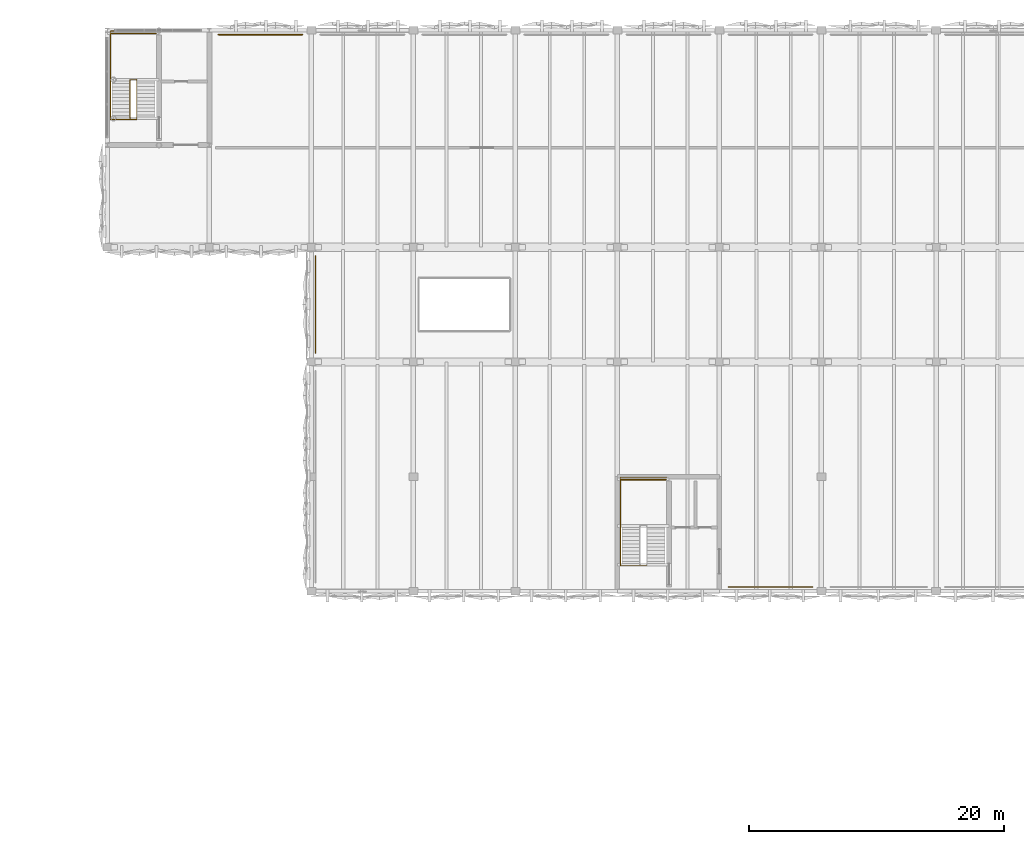
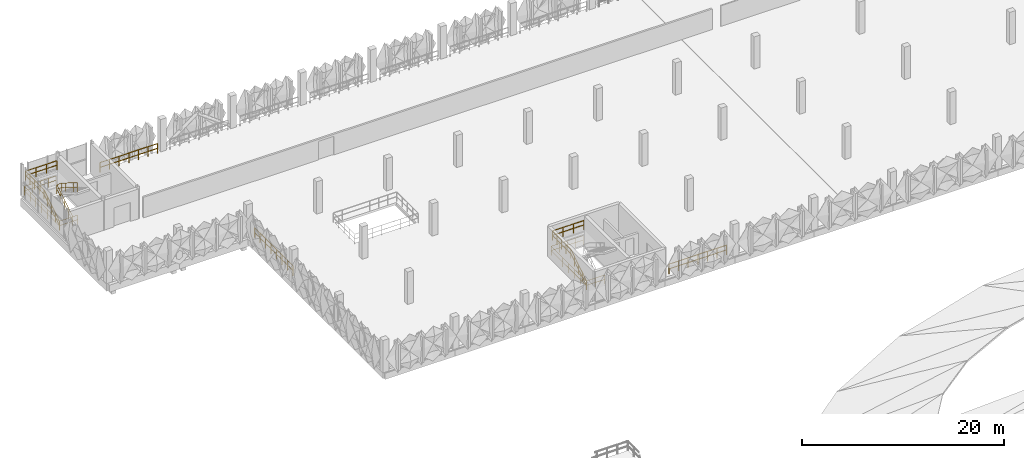
# One storey, part 46 of 52: 8 railings.
"""IFC4 building model written with IfcOpenShell, lengths in metres."""

from ifc_helpers import new_model, si_unit, derived_unit, direction, frame, origin, origin_2d, place, context, subcontext, project, spatial, circle, extrude, material, type_object, element, save


model = new_model("IFC4")

# Units and contexts
model_context = context("Model", 3, precision=1e-05, world=origin(), true_north=direction((0.0, 1.0)))
body_context = subcontext(model_context, "Body", "Model", "MODEL_VIEW")
ifc_project = project(units=[si_unit("LENGTHUNIT", "METRE"), si_unit("AREAUNIT", "SQUARE_METRE"), si_unit("VOLUMEUNIT", "CUBIC_METRE"), si_unit("PLANEANGLEUNIT", "RADIAN"), si_unit("MASSUNIT", "GRAM", prefix="KILO"), si_unit("THERMODYNAMICTEMPERATUREUNIT", "KELVIN"), derived_unit("THERMALTRANSMITTANCEUNIT", [(si_unit("POWERUNIT", "WATT"), 1), (si_unit("AREAUNIT", "SQUARE_METRE"), -1), (si_unit("THERMODYNAMICTEMPERATUREUNIT", "KELVIN"), -1)])], contexts=[model_context])

# Site, building, storey
site_placement = place(None, origin())
site = spatial("IfcSite", under=ifc_project, at=site_placement, CompositionType="ELEMENT")
building_placement = place(site_placement, origin())
building = spatial("IfcBuilding", under=site, at=building_placement, Name="Haiyu Intermodal Mobility Hub", CompositionType="ELEMENT")
storey_placement = place(building_placement, frame((0.0, 0.0, 21.199951171875)))
storey = spatial("IfcBuildingStorey", under=building, at=storey_placement, Name="L05", CompositionType="ELEMENT", Elevation=21.199951171875)

# Railings
ifc_material = material(Name="Steel Q355C", Category="steel")
railing_type_1 = type_object("IfcRailingType", Name="RAL-GR01", PredefinedType="GUARDRAIL", material=ifc_material)
railing_1_placement = place(storey_placement, frame((37.300048828125, 147.659912109375, 0.0)))
element("IfcRailing", 1, at=railing_1_placement, inside=storey, type_object=railing_type_1, Name="RAL-CAR-N-0013", PredefinedType="GUARDRAIL", context=body_context, shape_type="SweptSolid", body=[
    extrude(circle(Radius=0.02392578125, at=origin_2d()), frame((-0.030029296875, 0.0, 1.17578125), z_axis=(-1.0, 0.0, 0.0), x_axis=(0.0, -1.0, 0.0)), (0.0, 0.0, 1.0), 6.5400390625),
    extrude(circle(Radius=0.02392578125, at=origin_2d()), frame((-0.037353515625, 0.0, 0.60009765625), z_axis=(-1.0, 0.0, 0.0), x_axis=(0.0, -1.0, 0.0)), (0.0, 0.0, 1.0), 1.025390625),
    extrude(circle(Radius=0.02392578125, at=origin_2d()), frame((-1.13720703125, 0.0, 0.60009765625), z_axis=(-1.0, 0.0, 0.0), x_axis=(0.0, -1.0, 0.0)), (0.0, 0.0, 1.0), 1.025390625),
    extrude(circle(Radius=0.02392578125, at=origin_2d()), frame((-2.2373046875, 0.0, 0.60009765625), z_axis=(-1.0, 0.0, 0.0), x_axis=(0.0, -1.0, 0.0)), (0.0, 0.0, 1.0), 1.025390625),
    extrude(circle(Radius=0.02392578125, at=origin_2d()), frame((-3.33740234375, 0.0, 0.60009765625), z_axis=(-1.0, 0.0, 0.0), x_axis=(0.0, -1.0, 0.0)), (0.0, 0.0, 1.0), 1.025390625),
    extrude(circle(Radius=0.02392578125, at=origin_2d()), frame((-4.437255859375, 0.0, 0.60009765625), z_axis=(-1.0, 0.0, 0.0), x_axis=(0.0, -1.0, 0.0)), (0.0, 0.0, 1.0), 1.025390625),
    extrude(circle(Radius=0.02392578125, at=origin_2d()), frame((-5.537353515625, 0.0, 0.60009765625), z_axis=(-1.0, 0.0, 0.0), x_axis=(0.0, -1.0, 0.0)), (0.0, 0.0, 1.0), 1.025390625),
    extrude(circle(Radius=0.02099609375, at=origin_2d()), origin(), (0.0, 0.0, 1.0), 1.143798828125),
    extrude(circle(Radius=0.02099609375, at=origin_2d()), frame((-1.10009765625, 0.0, 0.0)), (0.0, 0.0, 1.0), 1.143798828125),
    extrude(circle(Radius=0.02099609375, at=origin_2d()), frame((-2.199951171875, 0.0, 0.0)), (0.0, 0.0, 1.0), 1.143798828125),
    extrude(circle(Radius=0.02099609375, at=origin_2d()), frame((-3.300048828125, 0.0, 0.0)), (0.0, 0.0, 1.0), 1.143798828125),
    extrude(circle(Radius=0.02099609375, at=origin_2d()), frame((-4.400146484375, 0.0, 0.0)), (0.0, 0.0, 1.0), 1.143798828125),
    extrude(circle(Radius=0.02099609375, at=origin_2d()), frame((-5.5, 0.0, 0.0)), (0.0, 0.0, 1.0), 1.143798828125),
    extrude(circle(Radius=0.02099609375, at=origin_2d()), frame((-6.60009765625, 0.0, 0.0)), (0.0, 0.0, 1.0), 1.143798828125),
])
railing_2_placement = place(storey_placement, frame((38.340087890625, 130.300048828125, 0.0)))
element("IfcRailing", 2, at=railing_2_placement, inside=storey, type_object=railing_type_1, Name="RAL-CAR-WS-0091", PredefinedType="GUARDRAIL", context=body_context, shape_type="SweptSolid", body=[
    extrude(circle(Radius=0.02392578125, at=origin_2d()), frame((0.0, -0.030029296875, 1.17578125), z_axis=(0.0, -1.0, 0.0), x_axis=(1.0, 0.0, 0.0)), (0.0, 0.0, 1.0), 7.5400390625),
    extrude(circle(Radius=0.02392578125, at=origin_2d()), frame((0.0, -0.037353515625, 0.60009765625), z_axis=(0.0, -1.0, 0.0), x_axis=(1.0, 0.0, 0.0)), (0.0, 0.0, 1.0), 1.01123046875),
    extrude(circle(Radius=0.02392578125, at=origin_2d()), frame((0.0, -1.123046875, 0.60009765625), z_axis=(0.0, -1.0, 0.0), x_axis=(1.0, 0.0, 0.0)), (0.0, 0.0, 1.0), 1.01123046875),
    extrude(circle(Radius=0.02392578125, at=origin_2d()), frame((0.0, -2.208740234375, 0.60009765625), z_axis=(0.0, -1.0, 0.0), x_axis=(1.0, 0.0, 0.0)), (0.0, 0.0, 1.0), 1.01123046875),
    extrude(circle(Radius=0.02392578125, at=origin_2d()), frame((0.0, -3.29443359375, 0.60009765625), z_axis=(0.0, -1.0, 0.0), x_axis=(1.0, 0.0, 0.0)), (0.0, 0.0, 1.0), 1.01123046875),
    extrude(circle(Radius=0.02392578125, at=origin_2d()), frame((0.0, -4.380126953125, 0.60009765625), z_axis=(0.0, -1.0, 0.0), x_axis=(1.0, 0.0, 0.0)), (0.0, 0.0, 1.0), 1.01123046875),
    extrude(circle(Radius=0.02392578125, at=origin_2d()), frame((0.0, -5.4658203125, 0.60009765625), z_axis=(0.0, -1.0, 0.0), x_axis=(1.0, 0.0, 0.0)), (0.0, 0.0, 1.0), 1.01123046875),
    extrude(circle(Radius=0.02392578125, at=origin_2d()), frame((0.0, -6.5517578125, 0.60009765625), z_axis=(0.0, -1.0, 0.0), x_axis=(1.0, 0.0, 0.0)), (0.0, 0.0, 1.0), 1.01123046875),
    extrude(circle(Radius=0.02099609375, at=origin_2d()), origin(), (0.0, 0.0, 1.0), 1.143798828125),
    extrude(circle(Radius=0.02099609375, at=origin_2d()), frame((0.0, -1.085693359375, 0.0)), (0.0, 0.0, 1.0), 1.143798828125),
    extrude(circle(Radius=0.02099609375, at=origin_2d()), frame((0.0, -2.17138671875, 0.0)), (0.0, 0.0, 1.0), 1.143798828125),
    extrude(circle(Radius=0.02099609375, at=origin_2d()), frame((0.0, -3.257080078125, 0.0)), (0.0, 0.0, 1.0), 1.143798828125),
    extrude(circle(Radius=0.02099609375, at=origin_2d()), frame((0.0, -4.343017578125, 0.0)), (0.0, 0.0, 1.0), 1.143798828125),
    extrude(circle(Radius=0.02099609375, at=origin_2d()), frame((0.0, -5.4287109375, 0.0)), (0.0, 0.0, 1.0), 1.143798828125),
    extrude(circle(Radius=0.02099609375, at=origin_2d()), frame((0.0, -6.514404296875, 0.0)), (0.0, 0.0, 1.0), 1.143798828125),
    extrude(circle(Radius=0.02099609375, at=origin_2d()), frame((0.0, -7.60009765625, 0.0)), (0.0, 0.0, 1.0), 1.143798828125),
])
railing_3_placement = place(storey_placement, frame((70.699951171875, 104.340087890625, 0.0)))
element("IfcRailing", 3, at=railing_3_placement, inside=storey, type_object=railing_type_1, Name="RAL-CAR-S-0113", PredefinedType="GUARDRAIL", context=body_context, shape_type="SweptSolid", body=[
    extrude(circle(Radius=0.02392578125, at=origin_2d()), frame((0.030029296875, 0.0, 1.17578125), z_axis=(1.0, 0.0, 0.0), x_axis=(0.0, 1.0, 0.0)), (0.0, 0.0, 1.0), 6.5400390625),
    extrude(circle(Radius=0.02392578125, at=origin_2d()), frame((0.037353515625, 0.0, 0.60009765625), z_axis=(1.0, 0.0, 0.0), x_axis=(0.0, 1.0, 0.0)), (0.0, 0.0, 1.0), 1.025390625),
    extrude(circle(Radius=0.02392578125, at=origin_2d()), frame((1.13720703125, 0.0, 0.60009765625), z_axis=(1.0, 0.0, 0.0), x_axis=(0.0, 1.0, 0.0)), (0.0, 0.0, 1.0), 1.025390625),
    extrude(circle(Radius=0.02392578125, at=origin_2d()), frame((2.2373046875, 0.0, 0.60009765625), z_axis=(1.0, 0.0, 0.0), x_axis=(0.0, 1.0, 0.0)), (0.0, 0.0, 1.0), 1.025390625),
    extrude(circle(Radius=0.02392578125, at=origin_2d()), frame((3.33740234375, 0.0, 0.60009765625), z_axis=(1.0, 0.0, 0.0), x_axis=(0.0, 1.0, 0.0)), (0.0, 0.0, 1.0), 1.025390625),
    extrude(circle(Radius=0.02392578125, at=origin_2d()), frame((4.437255859375, 0.0, 0.60009765625), z_axis=(1.0, 0.0, 0.0), x_axis=(0.0, 1.0, 0.0)), (0.0, 0.0, 1.0), 1.025390625),
    extrude(circle(Radius=0.02392578125, at=origin_2d()), frame((5.537353515625, 0.0, 0.60009765625), z_axis=(1.0, 0.0, 0.0), x_axis=(0.0, 1.0, 0.0)), (0.0, 0.0, 1.0), 1.025390625),
    extrude(circle(Radius=0.02099609375, at=origin_2d()), origin(), (0.0, 0.0, 1.0), 1.143798828125),
    extrude(circle(Radius=0.02099609375, at=origin_2d()), frame((1.10009765625, 0.0, 0.0)), (0.0, 0.0, 1.0), 1.143798828125),
    extrude(circle(Radius=0.02099609375, at=origin_2d()), frame((2.199951171875, 0.0, 0.0)), (0.0, 0.0, 1.0), 1.143798828125),
    extrude(circle(Radius=0.02099609375, at=origin_2d()), frame((3.300048828125, 0.0, 0.0)), (0.0, 0.0, 1.0), 1.143798828125),
    extrude(circle(Radius=0.02099609375, at=origin_2d()), frame((4.400146484375, 0.0, 0.0)), (0.0, 0.0, 1.0), 1.143798828125),
    extrude(circle(Radius=0.02099609375, at=origin_2d()), frame((5.5, 0.0, 0.0)), (0.0, 0.0, 1.0), 1.143798828125),
    extrude(circle(Radius=0.02099609375, at=origin_2d()), frame((6.60009765625, 0.0, 0.0)), (0.0, 0.0, 1.0), 1.143798828125),
])
railing_type_2 = type_object("IfcRailingType", Name="RAL-GR03", PredefinedType="GUARDRAIL", material=ifc_material)
railing_4_placement = place(storey_placement, frame((24.31005859375, 141.010009765625, 0.0)))
element("IfcRailing", 4, at=railing_4_placement, inside=storey, type_object=railing_type_2, Name="Stair Shaft Floor Guard STR-C3-L04", PredefinedType="GUARDRAIL", context=body_context, shape_type="SweptSolid", body=[
    extrude(circle(Radius=0.02392578125, at=origin_2d()), frame((-0.030029296875, 0.0, 1.09619140625), z_axis=(-1.0, 0.0, 0.0), x_axis=(0.0, -1.0, 0.0)), (0.0, 0.0, 1.0), 2.030029296875),
    extrude(circle(Radius=0.02392578125, at=origin_2d()), frame((-0.037353515625, 0.0, 0.56005859375), z_axis=(-1.0, 0.0, 0.0), x_axis=(0.0, -1.0, 0.0)), (0.0, 0.0, 1.0), 0.970458984375),
    extrude(circle(Radius=0.02392578125, at=origin_2d()), frame((-1.082275390625, 0.0, 0.56005859375), z_axis=(-1.0, 0.0, 0.0), x_axis=(0.0, -1.0, 0.0)), (0.0, 0.0, 1.0), 0.970458984375),
    extrude(circle(Radius=0.02392578125, at=origin_2d()), frame((-2.090087890625, 0.030029296875, 1.09619140625), z_axis=(0.0, 1.0, 0.0), x_axis=(-1.0, 0.0, 0.0)), (0.0, 0.0, 1.0), 6.8798828125),
    extrude(circle(Radius=0.02392578125, at=origin_2d()), frame((-2.090087890625, 0.037353515625, 0.56005859375), z_axis=(0.0, 1.0, 0.0), x_axis=(-1.0, 0.0, 0.0)), (0.0, 0.0, 1.0), 1.08203125),
    extrude(circle(Radius=0.02392578125, at=origin_2d()), frame((-2.090087890625, 1.19384765625, 0.56005859375), z_axis=(0.0, 1.0, 0.0), x_axis=(-1.0, 0.0, 0.0)), (0.0, 0.0, 1.0), 1.08203125),
    extrude(circle(Radius=0.02392578125, at=origin_2d()), frame((-2.090087890625, 2.3505859375, 0.56005859375), z_axis=(0.0, 1.0, 0.0), x_axis=(-1.0, 0.0, 0.0)), (0.0, 0.0, 1.0), 1.08203125),
    extrude(circle(Radius=0.02392578125, at=origin_2d()), frame((-2.090087890625, 3.50732421875, 0.56005859375), z_axis=(0.0, 1.0, 0.0), x_axis=(-1.0, 0.0, 0.0)), (0.0, 0.0, 1.0), 1.08203125),
    extrude(circle(Radius=0.02392578125, at=origin_2d()), frame((-2.090087890625, 4.663818359375, 0.56005859375), z_axis=(0.0, 1.0, 0.0), x_axis=(-1.0, 0.0, 0.0)), (0.0, 0.0, 1.0), 1.08203125),
    extrude(circle(Radius=0.02392578125, at=origin_2d()), frame((-2.090087890625, 5.820556640625, 0.56005859375), z_axis=(0.0, 1.0, 0.0), x_axis=(-1.0, 0.0, 0.0)), (0.0, 0.0, 1.0), 1.08203125),
    extrude(circle(Radius=0.02392578125, at=origin_2d()), frame((-2.06005859375, 6.93994140625, 1.09619140625), z_axis=(1.0, 0.0, 0.0), x_axis=(0.0, 1.0, 0.0)), (0.0, 0.0, 1.0), 3.590087890625),
    extrude(circle(Radius=0.02392578125, at=origin_2d()), frame((-2.052734375, 6.93994140625, 0.56005859375), z_axis=(1.0, 0.0, 0.0), x_axis=(0.0, 1.0, 0.0)), (0.0, 0.0, 1.0), 0.837890625),
    extrude(circle(Radius=0.02392578125, at=origin_2d()), frame((-1.14013671875, 6.93994140625, 0.56005859375), z_axis=(1.0, 0.0, 0.0), x_axis=(0.0, 1.0, 0.0)), (0.0, 0.0, 1.0), 0.837890625),
    extrude(circle(Radius=0.02392578125, at=origin_2d()), frame((-0.227783203125, 6.93994140625, 0.56005859375), z_axis=(1.0, 0.0, 0.0), x_axis=(0.0, 1.0, 0.0)), (0.0, 0.0, 1.0), 0.837890625),
    extrude(circle(Radius=0.02392578125, at=origin_2d()), frame((0.684814453125, 6.93994140625, 0.56005859375), z_axis=(1.0, 0.0, 0.0), x_axis=(0.0, 1.0, 0.0)), (0.0, 0.0, 1.0), 0.837890625),
    extrude(circle(Radius=0.02099609375, at=origin_2d()), origin(), (0.0, 0.0, 1.0), 1.06396484375),
    extrude(circle(Radius=0.02099609375, at=origin_2d()), frame((-1.044921875, 0.0, 0.0)), (0.0, 0.0, 1.0), 1.06396484375),
    extrude(circle(Radius=0.02099609375, at=origin_2d()), frame((-2.090087890625, 0.0, 0.0)), (0.0, 0.0, 1.0), 1.06396484375),
    extrude(circle(Radius=0.02099609375, at=origin_2d()), frame((-2.090087890625, 1.15673828125, 0.0)), (0.0, 0.0, 1.0), 1.06396484375),
    extrude(circle(Radius=0.02099609375, at=origin_2d()), frame((-2.090087890625, 2.313232421875, 0.0)), (0.0, 0.0, 1.0), 1.06396484375),
    extrude(circle(Radius=0.02099609375, at=origin_2d()), frame((-2.090087890625, 3.469970703125, 0.0)), (0.0, 0.0, 1.0), 1.06396484375),
    extrude(circle(Radius=0.02099609375, at=origin_2d()), frame((-2.090087890625, 4.626708984375, 0.0)), (0.0, 0.0, 1.0), 1.06396484375),
    extrude(circle(Radius=0.02099609375, at=origin_2d()), frame((-2.090087890625, 5.783203125, 0.0)), (0.0, 0.0, 1.0), 1.06396484375),
    extrude(circle(Radius=0.02099609375, at=origin_2d()), frame((-2.090087890625, 6.93994140625, 0.0)), (0.0, 0.0, 1.0), 1.06396484375),
    extrude(circle(Radius=0.02099609375, at=origin_2d()), frame((-1.177490234375, 6.93994140625, 0.0)), (0.0, 0.0, 1.0), 1.06396484375),
    extrude(circle(Radius=0.02099609375, at=origin_2d()), frame((-0.26513671875, 6.93994140625, 0.0)), (0.0, 0.0, 1.0), 1.06396484375),
    extrude(circle(Radius=0.02099609375, at=origin_2d()), frame((0.6474609375, 6.93994140625, 0.0)), (0.0, 0.0, 1.0), 1.06396484375),
    extrude(circle(Radius=0.02099609375, at=origin_2d()), frame((1.56005859375, 6.93994140625, 0.0)), (0.0, 0.0, 1.0), 1.06396484375),
])
railing_5_placement = place(storey_placement, frame((23.780029296875, 141.050048828125, 0.0)))
element("IfcRailing", 5, at=railing_5_placement, inside=storey, type_object=railing_type_2, Name="Stair Well Guard STR-C3-L05", PredefinedType="GUARDRAIL", context=body_context, shape_type="SweptSolid", body=[
    extrude(circle(Radius=0.02392578125, at=origin_2d()), frame((0.0, 0.025390625, 1.11181640625), z_axis=(0.0, 0.848756196164, 0.528784378999), x_axis=(-1.0, 0.0, 0.0)), (0.0, 0.0, 1.0), 3.627685546875),
    extrude(circle(Radius=0.02392578125, at=origin_2d()), frame((0.0, 0.03173828125, 0.579833984375), z_axis=(0.0, 0.848756196164, 0.528784378999), x_axis=(-1.0, 0.0, 0.0)), (0.0, 0.0, 1.0), 0.847412109375),
    extrude(circle(Radius=0.02392578125, at=origin_2d()), frame((0.0, 0.814208984375, 1.0673828125), z_axis=(0.0, 0.848756196164, 0.528784378999), x_axis=(-1.0, 0.0, 0.0)), (0.0, 0.0, 1.0), 0.847412109375),
    extrude(circle(Radius=0.02392578125, at=origin_2d()), frame((0.0, 1.5966796875, 1.5546875), z_axis=(0.0, 0.848756196164, 0.528784378999), x_axis=(-1.0, 0.0, 0.0)), (0.0, 0.0, 1.0), 0.847412109375),
    extrude(circle(Radius=0.02392578125, at=origin_2d()), frame((0.0, 2.379150390625, 2.042236328125), z_axis=(0.0, 0.848756196164, 0.528784378999), x_axis=(-1.0, 0.0, 0.0)), (0.0, 0.0, 1.0), 0.847412109375),
    extrude(circle(Radius=0.02392578125, at=origin_2d()), frame((0.030029296875, 3.1298828125, 3.0458984375), z_axis=(1.0, 0.0, 0.0), x_axis=(0.0, 1.0, 0.0)), (0.0, 0.0, 1.0), 0.469970703125),
    extrude(circle(Radius=0.02392578125, at=origin_2d()), frame((0.037353515625, 3.1298828125, 2.510009765625), z_axis=(1.0, 0.0, 0.0), x_axis=(0.0, 1.0, 0.0)), (0.0, 0.0, 1.0), 0.455322265625),
    extrude(circle(Radius=0.02392578125, at=origin_2d()), frame((0.530029296875, 3.1044921875, 3.061767578125), z_axis=(0.0, -0.84872648218, 0.528832070176), x_axis=(1.0, 0.0, 0.0)), (0.0, 0.0, 1.0), 3.627685546875),
    extrude(circle(Radius=0.02392578125, at=origin_2d()), frame((0.530029296875, 3.09814453125, 2.52978515625), z_axis=(0.0, -0.84872648218, 0.528832070176), x_axis=(1.0, 0.0, 0.0)), (0.0, 0.0, 1.0), 0.847412109375),
    extrude(circle(Radius=0.02392578125, at=origin_2d()), frame((0.530029296875, 2.315673828125, 3.017333984375), z_axis=(0.0, -0.84872648218, 0.528832070176), x_axis=(1.0, 0.0, 0.0)), (0.0, 0.0, 1.0), 0.847412109375),
    extrude(circle(Radius=0.02392578125, at=origin_2d()), frame((0.530029296875, 1.533203125, 3.5048828125), z_axis=(0.0, -0.84872648218, 0.528832070176), x_axis=(1.0, 0.0, 0.0)), (0.0, 0.0, 1.0), 0.847412109375),
    extrude(circle(Radius=0.02392578125, at=origin_2d()), frame((0.530029296875, 0.750732421875, 3.992431640625), z_axis=(0.0, -0.84872648218, 0.528832070176), x_axis=(1.0, 0.0, 0.0)), (0.0, 0.0, 1.0), 0.847412109375),
    extrude(circle(Radius=0.02099609375, at=origin_2d()), origin(), (0.0, 0.0, 1.0), 1.06396484375),
    extrude(circle(Radius=0.02099609375, at=origin_2d()), frame((0.0, 0.782470703125, 0.487548828125)), (0.0, 0.0, 1.0), 1.06396484375),
    extrude(circle(Radius=0.02099609375, at=origin_2d()), frame((0.0, 1.56494140625, 0.97509765625)), (0.0, 0.0, 1.0), 1.06396484375),
    extrude(circle(Radius=0.02099609375, at=origin_2d()), frame((0.0, 2.347412109375, 1.46240234375)), (0.0, 0.0, 1.0), 1.06396484375),
    extrude(circle(Radius=0.02099609375, at=origin_2d()), frame((0.0, 3.1298828125, 1.949951171875)), (0.0, 0.0, 1.0), 1.06396484375),
    extrude(circle(Radius=0.02099609375, at=origin_2d()), frame((0.530029296875, 3.1298828125, 1.949951171875)), (0.0, 0.0, 1.0), 1.06396484375),
    extrude(circle(Radius=0.02099609375, at=origin_2d()), frame((0.530029296875, 2.347412109375, 2.4375)), (0.0, 0.0, 1.0), 1.06396484375),
    extrude(circle(Radius=0.02099609375, at=origin_2d()), frame((0.530029296875, 1.56494140625, 2.925048828125)), (0.0, 0.0, 1.0), 1.06396484375),
    extrude(circle(Radius=0.02099609375, at=origin_2d()), frame((0.530029296875, 0.782470703125, 3.41259765625)), (0.0, 0.0, 1.0), 1.06396484375),
    extrude(circle(Radius=0.02099609375, at=origin_2d()), frame((0.530029296875, 0.0, 3.900146484375)), (0.0, 0.0, 1.0), 1.06396484375),
])
railing_6_placement = place(storey_placement, frame((22.25, 141.050048828125, 0.0)))
element("IfcRailing", 6, at=railing_6_placement, inside=storey, type_object=railing_type_2, Name="Stair Outer Guard STR-C3-L05", PredefinedType="GUARDRAIL", context=body_context, shape_type="SweptSolid", body=[
    extrude(circle(Radius=0.02392578125, at=origin_2d()), frame((0.0, 0.025390625, 1.112060546875), z_axis=(0.0, 0.844894753029, 0.534932571736), x_axis=(-1.0, 0.0, 0.0)), (0.0, 0.0, 1.0), 3.585205078125),
    extrude(circle(Radius=0.02392578125, at=origin_2d()), frame((0.0, 0.031494140625, 0.580078125), z_axis=(0.0, 0.844894753029, 0.534932571736), x_axis=(-1.0, 0.0, 0.0)), (0.0, 0.0, 1.0), 0.836669921875),
    extrude(circle(Radius=0.02392578125, at=origin_2d()), frame((0.0, 0.801513671875, 1.0673828125), z_axis=(0.0, 0.844894753029, 0.534932571736), x_axis=(-1.0, 0.0, 0.0)), (0.0, 0.0, 1.0), 0.836669921875),
    extrude(circle(Radius=0.02392578125, at=origin_2d()), frame((0.0, 1.571533203125, 1.554931640625), z_axis=(0.0, 0.844894753029, 0.534932571736), x_axis=(-1.0, 0.0, 0.0)), (0.0, 0.0, 1.0), 0.836669921875),
    extrude(circle(Radius=0.02392578125, at=origin_2d()), frame((0.0, 2.34130859375, 2.04248046875), z_axis=(0.0, 0.844894753029, 0.534932571736), x_axis=(-1.0, 0.0, 0.0)), (0.0, 0.0, 1.0), 0.836669921875),
    extrude(circle(Radius=0.02392578125, at=origin_2d()), frame((0.0, 3.10986328125, 3.0458984375), z_axis=(0.0, 1.0, 0.0), x_axis=(-1.0, 0.0, 0.0)), (0.0, 0.0, 1.0), 3.570068359375),
    extrude(circle(Radius=0.02392578125, at=origin_2d()), frame((0.0, 3.1171875, 2.510009765625), z_axis=(0.0, 1.0, 0.0), x_axis=(-1.0, 0.0, 0.0)), (0.0, 0.0, 1.0), 0.8330078125),
    extrude(circle(Radius=0.02392578125, at=origin_2d()), frame((0.0, 4.024658203125, 2.510009765625), z_axis=(0.0, 1.0, 0.0), x_axis=(-1.0, 0.0, 0.0)), (0.0, 0.0, 1.0), 0.8330078125),
    extrude(circle(Radius=0.02392578125, at=origin_2d()), frame((0.0, 4.93212890625, 2.510009765625), z_axis=(0.0, 1.0, 0.0), x_axis=(-1.0, 0.0, 0.0)), (0.0, 0.0, 1.0), 0.8330078125),
    extrude(circle(Radius=0.02392578125, at=origin_2d()), frame((0.0, 5.83984375, 2.510009765625), z_axis=(0.0, 1.0, 0.0), x_axis=(-1.0, 0.0, 0.0)), (0.0, 0.0, 1.0), 0.8330078125),
    extrude(circle(Radius=0.02392578125, at=origin_2d()), frame((0.030029296875, 6.7099609375, 3.0458984375), z_axis=(1.0, 0.0, 0.0), x_axis=(0.0, 1.0, 0.0)), (0.0, 0.0, 1.0), 3.52001953125),
    extrude(circle(Radius=0.02392578125, at=origin_2d()), frame((0.037353515625, 6.7099609375, 2.510009765625), z_axis=(1.0, 0.0, 0.0), x_axis=(0.0, 1.0, 0.0)), (0.0, 0.0, 1.0), 1.11865234375),
    extrude(circle(Radius=0.02392578125, at=origin_2d()), frame((1.230712890625, 6.7099609375, 2.510009765625), z_axis=(1.0, 0.0, 0.0), x_axis=(0.0, 1.0, 0.0)), (0.0, 0.0, 1.0), 1.11865234375),
    extrude(circle(Radius=0.02392578125, at=origin_2d()), frame((2.424072265625, 6.7099609375, 2.510009765625), z_axis=(1.0, 0.0, 0.0), x_axis=(0.0, 1.0, 0.0)), (0.0, 0.0, 1.0), 1.11865234375),
    extrude(circle(Radius=0.02099609375, at=origin_2d()), origin(), (0.0, 0.0, 1.0), 1.06396484375),
    extrude(circle(Radius=0.02099609375, at=origin_2d()), frame((0.0, 0.77001953125, 0.487548828125)), (0.0, 0.0, 1.0), 1.06396484375),
    extrude(circle(Radius=0.02099609375, at=origin_2d()), frame((0.0, 1.5400390625, 0.97509765625)), (0.0, 0.0, 1.0), 1.06396484375),
    extrude(circle(Radius=0.02099609375, at=origin_2d()), frame((0.0, 2.309814453125, 1.46240234375)), (0.0, 0.0, 1.0), 1.06396484375),
    extrude(circle(Radius=0.02099609375, at=origin_2d()), frame((0.0, 3.079833984375, 1.949951171875)), (0.0, 0.0, 1.0), 1.06396484375),
    extrude(circle(Radius=0.02099609375, at=origin_2d()), frame((0.0, 3.9873046875, 1.949951171875)), (0.0, 0.0, 1.0), 1.06396484375),
    extrude(circle(Radius=0.02099609375, at=origin_2d()), frame((0.0, 4.89501953125, 1.949951171875)), (0.0, 0.0, 1.0), 1.06396484375),
    extrude(circle(Radius=0.02099609375, at=origin_2d()), frame((0.0, 5.802490234375, 1.949951171875)), (0.0, 0.0, 1.0), 1.06396484375),
    extrude(circle(Radius=0.02099609375, at=origin_2d()), frame((0.0, 6.7099609375, 1.949951171875)), (0.0, 0.0, 1.0), 1.06396484375),
    extrude(circle(Radius=0.02099609375, at=origin_2d()), frame((1.193359375, 6.7099609375, 1.949951171875)), (0.0, 0.0, 1.0), 1.06396484375),
    extrude(circle(Radius=0.02099609375, at=origin_2d()), frame((2.38671875, 6.7099609375, 1.949951171875)), (0.0, 0.0, 1.0), 1.06396484375),
    extrude(circle(Radius=0.02099609375, at=origin_2d()), frame((3.580078125, 6.7099609375, 1.949951171875)), (0.0, 0.0, 1.0), 1.06396484375),
])
railing_7_placement = place(storey_placement, frame((64.31005859375, 106.010009765625, 0.0)))
element("IfcRailing", 7, at=railing_7_placement, inside=storey, type_object=railing_type_2, Name="Stair Shaft Floor Guard STR-C5-L04", PredefinedType="GUARDRAIL", context=body_context, shape_type="SweptSolid", body=[
    extrude(circle(Radius=0.02392578125, at=origin_2d()), frame((-0.030029296875, 0.0, 1.09619140625), z_axis=(-1.0, 0.0, 0.0), x_axis=(0.0, -1.0, 0.0)), (0.0, 0.0, 1.0), 2.030029296875),
    extrude(circle(Radius=0.02392578125, at=origin_2d()), frame((-0.037353515625, 0.0, 0.56005859375), z_axis=(-1.0, 0.0, 0.0), x_axis=(0.0, -1.0, 0.0)), (0.0, 0.0, 1.0), 0.970458984375),
    extrude(circle(Radius=0.02392578125, at=origin_2d()), frame((-1.082275390625, 0.0, 0.56005859375), z_axis=(-1.0, 0.0, 0.0), x_axis=(0.0, -1.0, 0.0)), (0.0, 0.0, 1.0), 0.970458984375),
    extrude(circle(Radius=0.02392578125, at=origin_2d()), frame((-2.090087890625, 0.030029296875, 1.09619140625), z_axis=(0.0, 1.0, 0.0), x_axis=(-1.0, 0.0, 0.0)), (0.0, 0.0, 1.0), 6.8798828125),
    extrude(circle(Radius=0.02392578125, at=origin_2d()), frame((-2.090087890625, 0.037353515625, 0.56005859375), z_axis=(0.0, 1.0, 0.0), x_axis=(-1.0, 0.0, 0.0)), (0.0, 0.0, 1.0), 1.08203125),
    extrude(circle(Radius=0.02392578125, at=origin_2d()), frame((-2.090087890625, 1.19384765625, 0.56005859375), z_axis=(0.0, 1.0, 0.0), x_axis=(-1.0, 0.0, 0.0)), (0.0, 0.0, 1.0), 1.08203125),
    extrude(circle(Radius=0.02392578125, at=origin_2d()), frame((-2.090087890625, 2.3505859375, 0.56005859375), z_axis=(0.0, 1.0, 0.0), x_axis=(-1.0, 0.0, 0.0)), (0.0, 0.0, 1.0), 1.08203125),
    extrude(circle(Radius=0.02392578125, at=origin_2d()), frame((-2.090087890625, 3.50732421875, 0.56005859375), z_axis=(0.0, 1.0, 0.0), x_axis=(-1.0, 0.0, 0.0)), (0.0, 0.0, 1.0), 1.08203125),
    extrude(circle(Radius=0.02392578125, at=origin_2d()), frame((-2.090087890625, 4.663818359375, 0.56005859375), z_axis=(0.0, 1.0, 0.0), x_axis=(-1.0, 0.0, 0.0)), (0.0, 0.0, 1.0), 1.08203125),
    extrude(circle(Radius=0.02392578125, at=origin_2d()), frame((-2.090087890625, 5.820556640625, 0.56005859375), z_axis=(0.0, 1.0, 0.0), x_axis=(-1.0, 0.0, 0.0)), (0.0, 0.0, 1.0), 1.08203125),
    extrude(circle(Radius=0.02392578125, at=origin_2d()), frame((-2.06005859375, 6.93994140625, 1.09619140625), z_axis=(1.0, 0.0, 0.0), x_axis=(0.0, 1.0, 0.0)), (0.0, 0.0, 1.0), 3.590087890625),
    extrude(circle(Radius=0.02392578125, at=origin_2d()), frame((-2.052734375, 6.93994140625, 0.56005859375), z_axis=(1.0, 0.0, 0.0), x_axis=(0.0, 1.0, 0.0)), (0.0, 0.0, 1.0), 0.837890625),
    extrude(circle(Radius=0.02392578125, at=origin_2d()), frame((-1.14013671875, 6.93994140625, 0.56005859375), z_axis=(1.0, 0.0, 0.0), x_axis=(0.0, 1.0, 0.0)), (0.0, 0.0, 1.0), 0.837890625),
    extrude(circle(Radius=0.02392578125, at=origin_2d()), frame((-0.227783203125, 6.93994140625, 0.56005859375), z_axis=(1.0, 0.0, 0.0), x_axis=(0.0, 1.0, 0.0)), (0.0, 0.0, 1.0), 0.837890625),
    extrude(circle(Radius=0.02392578125, at=origin_2d()), frame((0.684814453125, 6.93994140625, 0.56005859375), z_axis=(1.0, 0.0, 0.0), x_axis=(0.0, 1.0, 0.0)), (0.0, 0.0, 1.0), 0.837890625),
    extrude(circle(Radius=0.02099609375, at=origin_2d()), origin(), (0.0, 0.0, 1.0), 1.06396484375),
    extrude(circle(Radius=0.02099609375, at=origin_2d()), frame((-1.044921875, 0.0, 0.0)), (0.0, 0.0, 1.0), 1.06396484375),
    extrude(circle(Radius=0.02099609375, at=origin_2d()), frame((-2.090087890625, 0.0, 0.0)), (0.0, 0.0, 1.0), 1.06396484375),
    extrude(circle(Radius=0.02099609375, at=origin_2d()), frame((-2.090087890625, 1.15673828125, 0.0)), (0.0, 0.0, 1.0), 1.06396484375),
    extrude(circle(Radius=0.02099609375, at=origin_2d()), frame((-2.090087890625, 2.313232421875, 0.0)), (0.0, 0.0, 1.0), 1.06396484375),
    extrude(circle(Radius=0.02099609375, at=origin_2d()), frame((-2.090087890625, 3.469970703125, 0.0)), (0.0, 0.0, 1.0), 1.06396484375),
    extrude(circle(Radius=0.02099609375, at=origin_2d()), frame((-2.090087890625, 4.626708984375, 0.0)), (0.0, 0.0, 1.0), 1.06396484375),
    extrude(circle(Radius=0.02099609375, at=origin_2d()), frame((-2.090087890625, 5.783203125, 0.0)), (0.0, 0.0, 1.0), 1.06396484375),
    extrude(circle(Radius=0.02099609375, at=origin_2d()), frame((-2.090087890625, 6.93994140625, 0.0)), (0.0, 0.0, 1.0), 1.06396484375),
    extrude(circle(Radius=0.02099609375, at=origin_2d()), frame((-1.177490234375, 6.93994140625, 0.0)), (0.0, 0.0, 1.0), 1.06396484375),
    extrude(circle(Radius=0.02099609375, at=origin_2d()), frame((-0.26513671875, 6.93994140625, 0.0)), (0.0, 0.0, 1.0), 1.06396484375),
    extrude(circle(Radius=0.02099609375, at=origin_2d()), frame((0.6474609375, 6.93994140625, 0.0)), (0.0, 0.0, 1.0), 1.06396484375),
    extrude(circle(Radius=0.02099609375, at=origin_2d()), frame((1.56005859375, 6.93994140625, 0.0)), (0.0, 0.0, 1.0), 1.06396484375),
])
railing_8_placement = place(storey_placement, frame((62.25, 106.050048828125, 0.0)))
element("IfcRailing", 8, at=railing_8_placement, inside=storey, type_object=railing_type_2, Name="Stair Outer Guard STR-C5-L05", PredefinedType="GUARDRAIL", context=body_context, shape_type="SweptSolid", body=[
    extrude(circle(Radius=0.02392578125, at=origin_2d()), frame((0.0, 0.025390625, 1.112060546875), z_axis=(0.0, 0.844894753029, 0.534932571736), x_axis=(-1.0, 0.0, 0.0)), (0.0, 0.0, 1.0), 3.585205078125),
    extrude(circle(Radius=0.02392578125, at=origin_2d()), frame((0.0, 0.031494140625, 0.580078125), z_axis=(0.0, 0.844894753029, 0.534932571736), x_axis=(-1.0, 0.0, 0.0)), (0.0, 0.0, 1.0), 0.836669921875),
    extrude(circle(Radius=0.02392578125, at=origin_2d()), frame((0.0, 0.801513671875, 1.0673828125), z_axis=(0.0, 0.844894753029, 0.534932571736), x_axis=(-1.0, 0.0, 0.0)), (0.0, 0.0, 1.0), 0.836669921875),
    extrude(circle(Radius=0.02392578125, at=origin_2d()), frame((0.0, 1.571533203125, 1.554931640625), z_axis=(0.0, 0.844894753029, 0.534932571736), x_axis=(-1.0, 0.0, 0.0)), (0.0, 0.0, 1.0), 0.836669921875),
    extrude(circle(Radius=0.02392578125, at=origin_2d()), frame((0.0, 2.34130859375, 2.04248046875), z_axis=(0.0, 0.844894753029, 0.534932571736), x_axis=(-1.0, 0.0, 0.0)), (0.0, 0.0, 1.0), 0.836669921875),
    extrude(circle(Radius=0.02392578125, at=origin_2d()), frame((0.0, 3.10986328125, 3.0458984375), z_axis=(0.0, 1.0, 0.0), x_axis=(-1.0, 0.0, 0.0)), (0.0, 0.0, 1.0), 3.570068359375),
    extrude(circle(Radius=0.02392578125, at=origin_2d()), frame((0.0, 3.1171875, 2.510009765625), z_axis=(0.0, 1.0, 0.0), x_axis=(-1.0, 0.0, 0.0)), (0.0, 0.0, 1.0), 0.8330078125),
    extrude(circle(Radius=0.02392578125, at=origin_2d()), frame((0.0, 4.024658203125, 2.510009765625), z_axis=(0.0, 1.0, 0.0), x_axis=(-1.0, 0.0, 0.0)), (0.0, 0.0, 1.0), 0.8330078125),
    extrude(circle(Radius=0.02392578125, at=origin_2d()), frame((0.0, 4.93212890625, 2.510009765625), z_axis=(0.0, 1.0, 0.0), x_axis=(-1.0, 0.0, 0.0)), (0.0, 0.0, 1.0), 0.8330078125),
    extrude(circle(Radius=0.02392578125, at=origin_2d()), frame((0.0, 5.83984375, 2.510009765625), z_axis=(0.0, 1.0, 0.0), x_axis=(-1.0, 0.0, 0.0)), (0.0, 0.0, 1.0), 0.8330078125),
    extrude(circle(Radius=0.02392578125, at=origin_2d()), frame((0.030029296875, 6.7099609375, 3.0458984375), z_axis=(1.0, 0.0, 0.0), x_axis=(0.0, 1.0, 0.0)), (0.0, 0.0, 1.0), 3.52001953125),
    extrude(circle(Radius=0.02392578125, at=origin_2d()), frame((0.037353515625, 6.7099609375, 2.510009765625), z_axis=(1.0, 0.0, 0.0), x_axis=(0.0, 1.0, 0.0)), (0.0, 0.0, 1.0), 1.11865234375),
    extrude(circle(Radius=0.02392578125, at=origin_2d()), frame((1.230712890625, 6.7099609375, 2.510009765625), z_axis=(1.0, 0.0, 0.0), x_axis=(0.0, 1.0, 0.0)), (0.0, 0.0, 1.0), 1.11865234375),
    extrude(circle(Radius=0.02392578125, at=origin_2d()), frame((2.424072265625, 6.7099609375, 2.510009765625), z_axis=(1.0, 0.0, 0.0), x_axis=(0.0, 1.0, 0.0)), (0.0, 0.0, 1.0), 1.11865234375),
    extrude(circle(Radius=0.02099609375, at=origin_2d()), origin(), (0.0, 0.0, 1.0), 1.06396484375),
    extrude(circle(Radius=0.02099609375, at=origin_2d()), frame((0.0, 0.77001953125, 0.487548828125)), (0.0, 0.0, 1.0), 1.06396484375),
    extrude(circle(Radius=0.02099609375, at=origin_2d()), frame((0.0, 1.5400390625, 0.97509765625)), (0.0, 0.0, 1.0), 1.06396484375),
    extrude(circle(Radius=0.02099609375, at=origin_2d()), frame((0.0, 2.309814453125, 1.46240234375)), (0.0, 0.0, 1.0), 1.06396484375),
    extrude(circle(Radius=0.02099609375, at=origin_2d()), frame((0.0, 3.079833984375, 1.949951171875)), (0.0, 0.0, 1.0), 1.06396484375),
    extrude(circle(Radius=0.02099609375, at=origin_2d()), frame((0.0, 3.9873046875, 1.949951171875)), (0.0, 0.0, 1.0), 1.06396484375),
    extrude(circle(Radius=0.02099609375, at=origin_2d()), frame((0.0, 4.89501953125, 1.949951171875)), (0.0, 0.0, 1.0), 1.06396484375),
    extrude(circle(Radius=0.02099609375, at=origin_2d()), frame((0.0, 5.802490234375, 1.949951171875)), (0.0, 0.0, 1.0), 1.06396484375),
    extrude(circle(Radius=0.02099609375, at=origin_2d()), frame((0.0, 6.7099609375, 1.949951171875)), (0.0, 0.0, 1.0), 1.06396484375),
    extrude(circle(Radius=0.02099609375, at=origin_2d()), frame((1.193359375, 6.7099609375, 1.949951171875)), (0.0, 0.0, 1.0), 1.06396484375),
    extrude(circle(Radius=0.02099609375, at=origin_2d()), frame((2.38671875, 6.7099609375, 1.949951171875)), (0.0, 0.0, 1.0), 1.06396484375),
    extrude(circle(Radius=0.02099609375, at=origin_2d()), frame((3.580078125, 6.7099609375, 1.949951171875)), (0.0, 0.0, 1.0), 1.06396484375),
])

save(model, "model.ifc")
